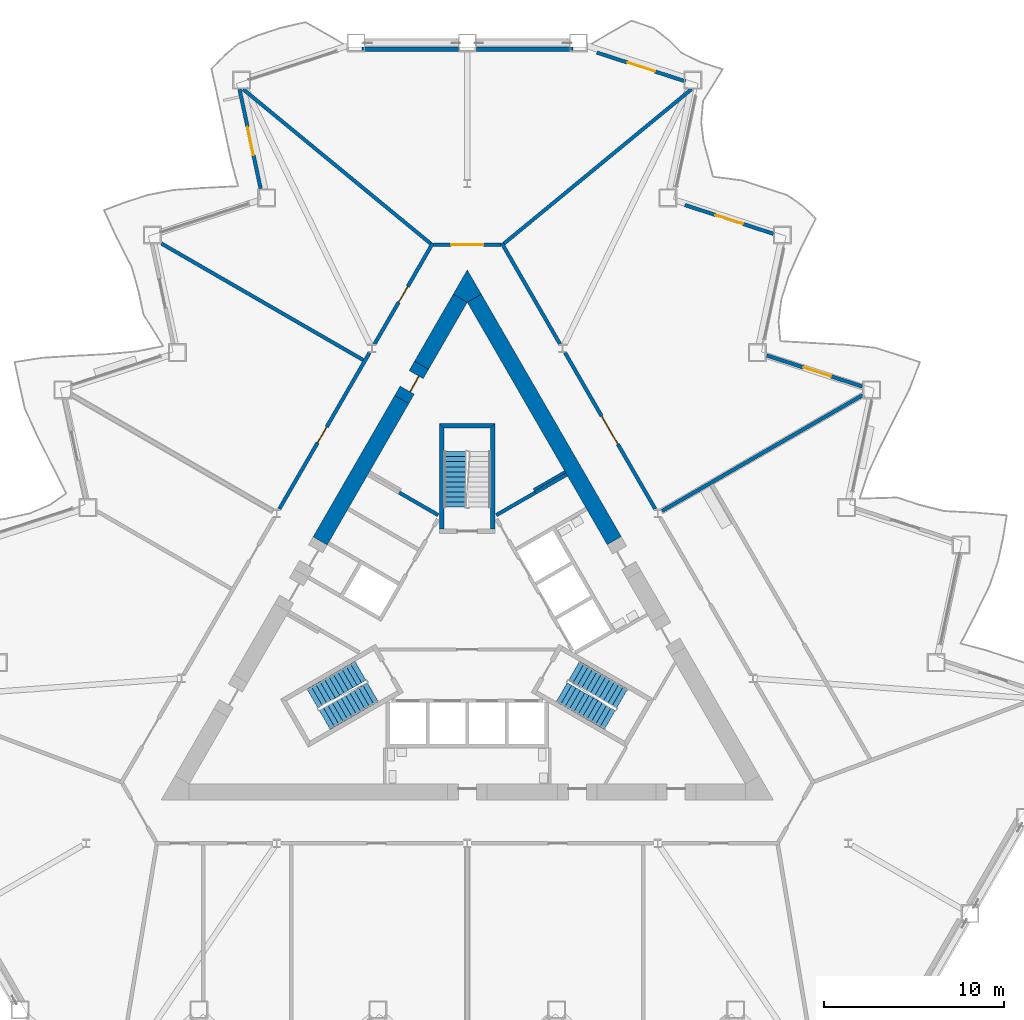
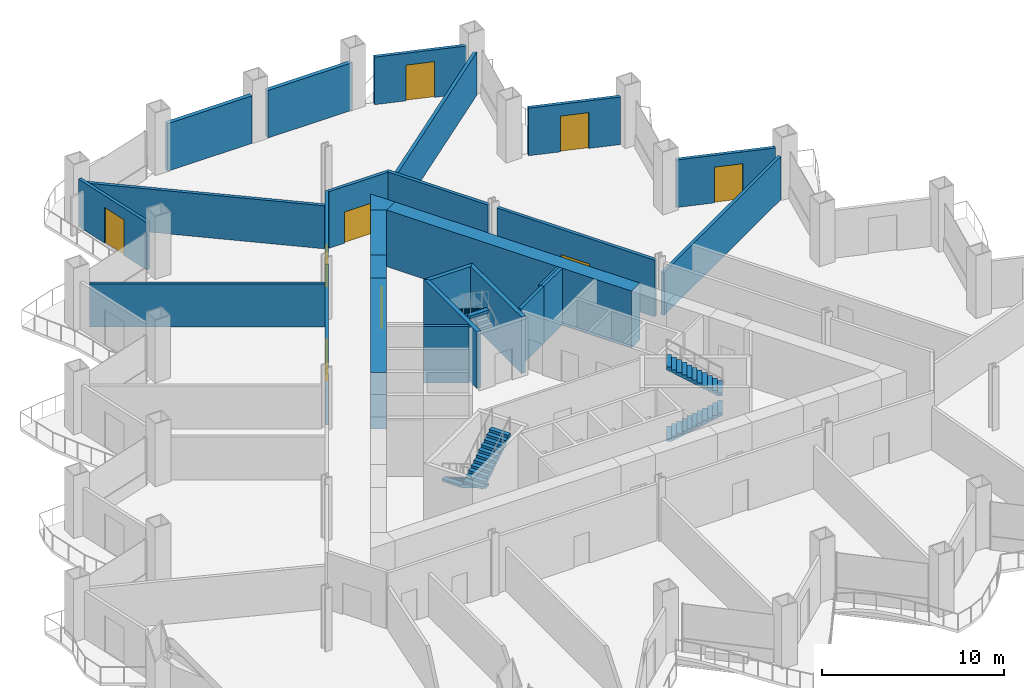
# One storey, part 12 of 20: 27 walls, 9 doors, 5 stair flights, 9 openings, 3 elements without a shape of their own.
"""IFC4 building model written with IfcOpenShell, lengths in metres."""

from ifc_helpers import new_model, si_unit, direction, frame, frame_2d, origin, place, context, subcontext, project, spatial, polyline, rectangle, outline, extrude, material, layer, layer_set, type_object, element, fill, aggregate, save


model = new_model("IFC4")

# Units and contexts
model_context = context("Model", 3, precision=1e-05, world=origin(), true_north=direction((0.0, 1.0)))
body_context = subcontext(model_context, "Body", "Model", "MODEL_VIEW")
ifc_project = project(units=[si_unit("LENGTHUNIT", "METRE"), si_unit("AREAUNIT", "SQUARE_METRE"), si_unit("VOLUMEUNIT", "CUBIC_METRE"), si_unit("PLANEANGLEUNIT", "RADIAN"), si_unit("MASSUNIT", "GRAM", prefix="KILO")], contexts=[model_context])

# Site, building, storey
site_placement = place(None, origin())
site = spatial("IfcSite", under=ifc_project, at=site_placement, CompositionType="ELEMENT")
building_placement = place(site_placement, origin())
building = spatial("IfcBuilding", under=site, at=building_placement, Name="Cormorant Prow Tower", CompositionType="ELEMENT")
storey_placement = place(building_placement, frame((0.0, 0.0, 55.199951171875)))
storey = spatial("IfcBuildingStorey", under=building, at=storey_placement, Name="L11", CompositionType="ELEMENT", Elevation=55.199951171875)

# Walls
ifc_material_1 = material(Name="Gypsum board partition")
ifc_layer_1 = layer(ifc_material_1, 0.14990234375)
ifc_layer_set_1 = layer_set([ifc_layer_1], Name="Gypsum board partition")
wall_type_1 = type_object("IfcWallType", Name="Core partition 150", PredefinedType="PARTITIONING", material=ifc_layer_set_1)
wall_1_placement = place(storey_placement, frame((3.693359375, 7.4150390625, 0.0), z_axis=(0.0, 0.0, 1.0), x_axis=(0.866035824272, 0.499981950752, 0.0)))
element("IfcWall", 1, at=wall_1_placement, inside=storey, type_object=wall_type_1, Name="Service room partition", PredefinedType="PARTITIONING", context=body_context, shape_type="SweptSolid", body=[
    extrude(rectangle(XDim=2.0087890625, YDim=0.14990234375, at=frame_2d((1.00439453125, 0.0))), origin(), (0.0, 0.0, 1.0), 3.800048828125),
])
ifc_material_2 = material(Name="Concrete 8000 psi", Category="concrete")
ifc_layer_2 = layer(ifc_material_2, 0.89990234375)
ifc_layer_set_2 = layer_set([ifc_layer_2], Name="Concrete 8000 psi")
wall_type_2 = type_object("IfcWallType", Name="Core shear wall 900", PredefinedType="SHEAR", material=ifc_layer_set_2)
wall_2_placement = place(storey_placement, frame((8.160400390625, 4.595947265625, 0.0), z_axis=(0.0, 0.0, 1.0), x_axis=(-0.500009830349, 0.866019728156, 0.0)))
element("IfcWall", 2, at=wall_2_placement, inside=storey, type_object=wall_type_2, Name="Core wall", PredefinedType="SHEAR", context=body_context, shape_type="SweptSolid", body=[
    extrude(rectangle(XDim=15.541259765625, YDim=0.89990234375, at=frame_2d((7.7705078125, 0.0))), origin(), (0.0, 0.0, 1.0), 3.800048828125),
])
wall_3_placement = place(storey_placement, frame((-3.637451171875, 12.4296875, 0.0), z_axis=(0.0, 0.0, 1.0), x_axis=(-0.500011513458, -0.866018756384, 0.0)))
element("IfcWall", 3, at=wall_3_placement, inside=storey, type_object=wall_type_2, Name="Core wall", PredefinedType="SHEAR", context=body_context, shape_type="SweptSolid", body=[
    extrude(rectangle(XDim=9.065673828125, YDim=0.89990234375, at=frame_2d((4.53271484375, 0.0))), origin(), (0.0, 0.0, 1.0), 3.800048828125),
])
wall_4_placement = place(storey_placement, frame((-0.3896484375, 18.054931640625, 0.0), z_axis=(0.0, 0.0, 1.0), x_axis=(-0.500014347272, -0.866017120224, 0.0)))
element("IfcWall", 4, at=wall_4_placement, inside=storey, type_object=wall_type_2, Name="Core wall", PredefinedType="SHEAR", context=body_context, shape_type="SweptSolid", body=[
    extrude(rectangle(XDim=4.295654296875, YDim=0.89990234375, at=frame_2d((2.14794921875, 0.0))), origin(), (0.0, 0.0, 1.0), 3.800048828125),
])
wall_5_placement = place(storey_placement, origin())
element("IfcWall", 5, at=wall_5_placement, inside=storey, type_object=wall_type_2, Name="Core wall corner", PredefinedType="SHEAR", context=body_context, shape_type="SweptSolid", body=[
    extrude(outline(polyline([(-0.779296875, 18.27978515625), (0.0, 19.6298828125), (0.779296875, 18.27978515625), (0.0, 17.829833984375), (-0.779296875, 18.27978515625)])), origin(), (0.0, 0.0, 1.0), 3.800048828125),
])

# Wall, opening, door
wall_6_placement = place(storey_placement, frame((-2.53759765625, 14.334716796875, 0.0), z_axis=(0.0, 0.0, 1.0), x_axis=(-0.499994660107, -0.866028486751, 0.0)))
wall_6 = element("IfcWall", 6, at=wall_6_placement, inside=storey, type_object=wall_type_2, Name="Core wall door panel", PredefinedType="SHEAR", context=body_context, shape_type="SweptSolid", body=[
    extrude(rectangle(XDim=2.19970703125, YDim=0.89990234375, at=frame_2d((1.099853515625, 0.0))), origin(), (0.0, 0.0, 1.0), 3.800048828125),
])
opening_1_placement = place(wall_6_placement, frame((0.60009765625, 0.0, 0.0)))
opening_1 = element("IfcOpeningElement", 7, at=opening_1_placement, cuts=wall_6, Name="Opening L11-C20", PredefinedType="OPENING", context=body_context, shape_type="SweptSolid", body=[
    extrude(rectangle(XDim=1.0, YDim=2.10009765625, at=frame_2d((0.5, 1.050048828125))), frame((0.0, 0.4599609375, 0.0), z_axis=(0.0, -1.0, 0.0), x_axis=(1.0, 0.0, 0.0)), (0.0, 0.0, 1.0), 0.919921875),
])
ifc_material_3 = material(Name="Painted steel", Category="steel")
door_type_1 = type_object("IfcDoorType", Name="Service door 1000x2100", OperationType="NOTDEFINED", PredefinedType="DOOR", material=ifc_material_3)
door_1_placement = place(opening_1_placement, origin())
door_1 = element("IfcDoor", 8, at=door_1_placement, inside=storey, type_object=door_type_1, Name="Core door, Telecom room", OperationType="SINGLE_SWING_LEFT", OverallHeight=2.10009765625, OverallWidth=1.0, PredefinedType="DOOR", context=body_context, shape_type="SweptSolid", body=[
    extrude(rectangle(XDim=1.0, YDim=2.10009765625, at=frame_2d((0.5, 1.050048828125))), frame((0.0, 0.205078125, 0.0), z_axis=(0.0, -1.0, 0.0), x_axis=(1.0, 0.0, 0.0)), (0.0, 0.0, 1.0), 0.050048828125),
])
fill(opening_1, door_1)

ifc_material_4 = material(Name="Gypsum board corridor wall")
ifc_layer_3 = layer(ifc_material_4, 0.199951171875)
ifc_layer_set_3 = layer_set([ifc_layer_3], Name="Gypsum board corridor wall")
wall_type_3 = type_object("IfcWallType", Name="Corridor wall 200", PredefinedType="PARTITIONING", material=ifc_layer_set_3)
wall_7_placement = place(storey_placement, frame((5.42919921875, 15.0263671875, 0.0), z_axis=(0.0, 0.0, 1.0), x_axis=(0.50001002959, -0.86601961312, 0.0)))
wall_7 = element("IfcWall", 9, at=wall_7_placement, inside=storey, type_object=wall_type_3, Name="Corridor wall", PredefinedType="PARTITIONING", context=body_context, shape_type="SweptSolid", body=[
    extrude(rectangle(XDim=10.018798828125, YDim=0.199951171875, at=frame_2d((5.00927734375, 0.0))), origin(), (0.0, 0.0, 1.0), 3.800048828125),
])
opening_2_placement = place(wall_7_placement, frame((4.059326171875, 0.0, 0.0)))
opening_2 = element("IfcOpeningElement", 10, at=opening_2_placement, cuts=wall_7, Name="Opening L11-F09", PredefinedType="OPENING", context=body_context, shape_type="SweptSolid", body=[
    extrude(rectangle(XDim=1.800048828125, YDim=2.10009765625, at=frame_2d((0.89990234375, 1.050048828125))), frame((0.0, 0.10986328125, 0.0), z_axis=(0.0, -1.0, 0.0), x_axis=(1.0, 0.0, 0.0)), (0.0, 0.0, 1.0), 0.219970703125),
])
ifc_material_5 = material(Name="Timber door leaf", Category="wood")
door_type_2 = type_object("IfcDoorType", Name="Double door 1800x2100", OperationType="DOUBLE_DOOR_SINGLE_SWING", PredefinedType="DOOR", material=ifc_material_5)
door_2_placement = place(opening_2_placement, origin())
door_2 = element("IfcDoor", 11, at=door_2_placement, inside=storey, type_object=door_type_2, Name="Trading room door", OperationType="DOUBLE_DOOR_SINGLE_SWING", OverallHeight=2.10009765625, OverallWidth=1.800048828125, PredefinedType="DOOR", context=body_context, shape_type="SweptSolid", body=[
    extrude(rectangle(XDim=1.800048828125, YDim=2.10009765625, at=frame_2d((0.89990234375, 1.050048828125))), frame((0.0, 0.02490234375, 0.0), z_axis=(0.0, -1.0, 0.0), x_axis=(1.0, 0.0, 0.0)), (0.0, 0.0, 1.0), 0.050048828125),
])
fill(opening_2, door_2)

wall_8_placement = place(storey_placement, frame((-10.438720703125, 6.349853515625, 0.0), z_axis=(0.0, 0.0, 1.0), x_axis=(0.50001002959, 0.86601961312, 0.0)))
wall_8 = element("IfcWall", 12, at=wall_8_placement, inside=storey, type_object=wall_type_3, Name="Corridor wall", PredefinedType="PARTITIONING", context=body_context, shape_type="SweptSolid", body=[
    extrude(rectangle(XDim=10.018798828125, YDim=0.199951171875, at=frame_2d((5.00927734375, 0.0))), origin(), (0.0, 0.0, 1.0), 3.800048828125),
])
opening_3_placement = place(wall_8_placement, frame((4.2587890625, 0.0, 0.0)))
opening_3 = element("IfcOpeningElement", 13, at=opening_3_placement, cuts=wall_8, Name="Opening L11-F12", PredefinedType="OPENING", context=body_context, shape_type="SweptSolid", body=[
    extrude(rectangle(XDim=1.0, YDim=2.10009765625, at=frame_2d((0.5, 1.050048828125))), frame((0.0, 0.10986328125, 0.0), z_axis=(0.0, -1.0, 0.0), x_axis=(1.0, 0.0, 0.0)), (0.0, 0.0, 1.0), 0.219970703125),
])
ifc_material_6 = material(Name="Timber door leaf", Category="wood")
door_type_3 = type_object("IfcDoorType", Name="Office door 1000x2100", OperationType="NOTDEFINED", PredefinedType="DOOR", material=ifc_material_6)
door_3_placement = place(opening_3_placement, origin())
door_3 = element("IfcDoor", 14, at=door_3_placement, inside=storey, type_object=door_type_3, Name="Co-working room door", OperationType="SINGLE_SWING_LEFT", OverallHeight=2.10009765625, OverallWidth=1.0, PredefinedType="DOOR", context=body_context, shape_type="SweptSolid", body=[
    extrude(rectangle(XDim=1.0, YDim=2.10009765625, at=frame_2d((0.5, 1.050048828125))), frame((0.0, 0.02490234375, 0.0), z_axis=(0.0, -1.0, 0.0), x_axis=(1.0, 0.0, 0.0)), (0.0, 0.0, 1.0), 0.050048828125),
])
fill(opening_3, door_3)

# Wall
wall_9_placement = place(storey_placement, frame((1.9130859375, 21.116455078125, 0.0), z_axis=(0.0, 0.0, 1.0), x_axis=(0.500001069878, -0.866024786089, 0.0)))
element("IfcWall", 15, at=wall_9_placement, inside=storey, type_object=wall_type_3, Name="Corridor wall", PredefinedType="PARTITIONING", context=body_context, shape_type="SweptSolid", body=[
    extrude(rectangle(XDim=6.47265625, YDim=0.199951171875, at=frame_2d((3.236328125, 0.0))), origin(), (0.0, 0.0, 1.0), 3.800048828125),
])

# Wall, opening, door
wall_10_placement = place(storey_placement, frame((-5.1494140625, 15.510986328125, 0.0), z_axis=(0.0, 0.0, 1.0), x_axis=(0.500001069878, 0.866024786089, 0.0)))
wall_10 = element("IfcWall", 16, at=wall_10_placement, inside=storey, type_object=wall_type_3, Name="Corridor wall", PredefinedType="PARTITIONING", context=body_context, shape_type="SweptSolid", body=[
    extrude(rectangle(XDim=6.47265625, YDim=0.199951171875, at=frame_2d((3.236328125, 0.0))), origin(), (0.0, 0.0, 1.0), 3.800048828125),
])
opening_4_placement = place(wall_10_placement, frame((2.685546875, 0.0, 0.0)))
opening_4 = element("IfcOpeningElement", 17, at=opening_4_placement, cuts=wall_10, Name="Opening L11-F11", PredefinedType="OPENING", context=body_context, shape_type="SweptSolid", body=[
    extrude(rectangle(XDim=1.0, YDim=2.10009765625, at=frame_2d((0.5, 1.050048828125))), frame((0.0, 0.10986328125, 0.0), z_axis=(0.0, -1.0, 0.0), x_axis=(1.0, 0.0, 0.0)), (0.0, 0.0, 1.0), 0.219970703125),
])
door_4_placement = place(opening_4_placement, origin())
door_4 = element("IfcDoor", 18, at=door_4_placement, inside=storey, type_object=door_type_3, Name="Tenant suite door", OperationType="SINGLE_SWING_LEFT", OverallHeight=2.10009765625, OverallWidth=1.0, PredefinedType="DOOR", context=body_context, shape_type="SweptSolid", body=[
    extrude(rectangle(XDim=1.0, YDim=2.10009765625, at=frame_2d((0.5, 1.050048828125))), frame((0.0, 0.02490234375, 0.0), z_axis=(0.0, -1.0, 0.0), x_axis=(1.0, 0.0, 0.0)), (0.0, 0.0, 1.0), 0.050048828125),
])
fill(opening_4, door_4)

wall_11_placement = place(storey_placement, frame((-1.863037109375, 21.02978515625, 0.0), z_axis=(0.0, 0.0, 1.0), x_axis=(1.0, 0.0, 0.0)))
wall_11 = element("IfcWall", 19, at=wall_11_placement, inside=storey, type_object=wall_type_3, Name="Corridor wall", PredefinedType="PARTITIONING", context=body_context, shape_type="SweptSolid", body=[
    extrude(rectangle(XDim=3.72607421875, YDim=0.199951171875, at=frame_2d((1.863037109375, 0.0))), origin(), (0.0, 0.0, 1.0), 3.800048828125),
])
opening_5_placement = place(wall_11_placement, frame((0.962890625, 0.0, 0.0)))
opening_5 = element("IfcOpeningElement", 20, at=opening_5_placement, cuts=wall_11, Name="Opening L11-F10", PredefinedType="OPENING", context=body_context, shape_type="SweptSolid", body=[
    extrude(rectangle(XDim=1.800048828125, YDim=2.10009765625, at=frame_2d((0.89990234375, 1.050048828125))), frame((0.0, 0.10986328125, 0.0), z_axis=(0.0, -1.0, 0.0), x_axis=(1.0, 0.0, 0.0)), (0.0, 0.0, 1.0), 0.219970703125),
])
door_5_placement = place(opening_5_placement, origin())
door_5 = element("IfcDoor", 21, at=door_5_placement, inside=storey, type_object=door_type_2, Name="Open-plan office door", OperationType="DOUBLE_DOOR_SINGLE_SWING", OverallHeight=2.10009765625, OverallWidth=1.800048828125, PredefinedType="DOOR", context=body_context, shape_type="SweptSolid", body=[
    extrude(rectangle(XDim=1.800048828125, YDim=2.10009765625, at=frame_2d((0.89990234375, 1.050048828125))), frame((0.0, 0.02490234375, 0.0), z_axis=(0.0, -1.0, 0.0), x_axis=(1.0, 0.0, 0.0)), (0.0, 0.0, 1.0), 0.050048828125),
])
fill(opening_5, door_5)

# Walls
ifc_material_7 = material(Name="Gypsum board demising wall")
ifc_layer_4 = layer(ifc_material_7, 0.199951171875)
ifc_layer_set_4 = layer_set([ifc_layer_4], Name="Gypsum board demising wall")
wall_type_4 = type_object("IfcWallType", Name="Demising wall 200", PredefinedType="PARTITIONING", material=ifc_layer_set_4)
for number, where, z_axis, x_axis, name in (
    (22, (2.040283203125, 21.093505859375, 0.0), (0.0, 0.0, 1.0), (0.772048928551, 0.635563098302, 0.0), "Demising wall"),
    (23, (-12.44482421875, 29.65869140625, 0.0), (0.0, 0.0, 1.0), (0.772048928551, -0.635563098302, 0.0), "Demising wall"),
):
    element("IfcWall", number, at=place(storey_placement, frame(where, z_axis=z_axis, x_axis=x_axis)), inside=storey, type_object=wall_type_4, Name=name, PredefinedType="PARTITIONING", context=body_context, shape_type="SweptSolid", body=[
        extrude(rectangle(XDim=13.4765625, YDim=0.199951171875, at=frame_2d((6.73828125, 0.0))), origin(), (0.0, 0.0, 1.0), 2.88525390625),
    ])
wall_12_placement = place(storey_placement, frame((-16.981201171875, 21.091796875, 0.0), z_axis=(0.0, 0.0, 1.0), x_axis=(0.866026884493, -0.499997435328, 0.0)))
element("IfcWall", 24, at=wall_12_placement, inside=storey, type_object=wall_type_4, Name="Demising wall", PredefinedType="PARTITIONING", context=body_context, shape_type="SweptSolid", body=[
    extrude(rectangle(XDim=12.93701171875, YDim=0.199951171875, at=frame_2d((6.468505859375, 0.0))), origin(), (0.0, 0.0, 1.0), 2.88525390625),
])
wall_13_placement = place(storey_placement, frame((10.82080078125, 6.247314453125, 0.0), z_axis=(0.0, 0.0, 1.0), x_axis=(0.866026729935, 0.499997703033, 0.0)))
element("IfcWall", 25, at=wall_13_placement, inside=storey, type_object=wall_type_4, Name="Demising wall", PredefinedType="PARTITIONING", context=body_context, shape_type="SweptSolid", body=[
    extrude(rectangle(XDim=12.84765625, YDim=0.199951171875, at=frame_2d((6.423828125, 0.0))), origin(), (0.0, 0.0, 1.0), 2.88525390625),
])
ifc_material_8 = material(Name="Concrete 8000 psi", Category="concrete")
ifc_layer_5 = layer(ifc_material_8, 0.199951171875)
ifc_layer_set_5 = layer_set([ifc_layer_5], Name="Concrete 8000 psi")
wall_type_5 = type_object("IfcWallType", Name="Lift shaft wall 200", PredefinedType="SHEAR", material=ifc_layer_set_5)
wall_14_placement = place(storey_placement, origin())
element("IfcWall", 26, at=wall_14_placement, inside=storey, type_object=wall_type_5, Name="Lift shaft walls, ENE block", PredefinedType="SHEAR", context=body_context, shape_type="SweptSolid", body=[
    extrude(outline(polyline([(1.560546875, 6.09716796875), (3.730712890625, 7.35009765625), (3.830810546875, 7.177001953125), (1.660400390625, 5.923828125), (1.560546875, 6.09716796875)])), origin(), (0.0, 0.0, 1.0), 3.800048828125),
])
wall_15_placement = place(storey_placement, frame((3.78076171875, 7.263427734375, 0.0), z_axis=(0.0, 0.0, 1.0), x_axis=(0.865983199114, 0.50007309351, 0.0)))
element("IfcWall", 27, at=wall_15_placement, inside=storey, type_object=wall_type_5, Name="Store side wall", PredefinedType="SHEAR", context=body_context, shape_type="SweptSolid", body=[
    extrude(rectangle(XDim=2.009033203125, YDim=0.199951171875, at=frame_2d((1.00439453125, 0.0))), origin(), (0.0, 0.0, 1.0), 3.800048828125),
])
wall_16_placement = place(storey_placement, origin())
element("IfcWall", 28, at=wall_16_placement, inside=storey, type_object=wall_type_5, Name="Lift shaft walls, WNW block", PredefinedType="SHEAR", context=body_context, shape_type="SweptSolid", body=[
    extrude(outline(polyline([(-3.730712890625, 7.35009765625), (-1.560546875, 6.09716796875), (-1.660400390625, 5.923828125), (-3.830810546875, 7.177001953125), (-3.730712890625, 7.35009765625)])), origin(), (0.0, 0.0, 1.0), 3.800048828125),
])
ifc_material_9 = material(Name="Concrete 8000 psi", Category="concrete")
ifc_layer_6 = layer(ifc_material_9, 0.25)
ifc_layer_set_6 = layer_set([ifc_layer_6], Name="Concrete 8000 psi")
wall_type_6 = type_object("IfcWallType", Name="Stair wall 250", PredefinedType="SHEAR", material=ifc_layer_set_6)
wall_17_placement = place(storey_placement, origin())
element("IfcWall", 29, at=wall_17_placement, inside=storey, type_object=wall_type_6, Name="Stair ST3 enclosure wall (flank)", PredefinedType="SHEAR", context=body_context, shape_type="SweptSolid", body=[
    extrude(outline(polyline([(1.5439453125, 5.23681640625), (1.5439453125, 11.0869140625), (1.2939453125, 10.8369140625), (1.2939453125, 5.23681640625), (1.5439453125, 5.23681640625)])), origin(), (0.0, 0.0, 1.0), 3.800048828125),
])
wall_18_placement = place(storey_placement, origin())
element("IfcWall", 30, at=wall_18_placement, inside=storey, type_object=wall_type_6, Name="Stair ST3 enclosure wall (end)", PredefinedType="SHEAR", context=body_context, shape_type="SweptSolid", body=[
    extrude(outline(polyline([(1.5439453125, 11.0869140625), (-1.5439453125, 11.0869140625), (-1.2939453125, 10.8369140625), (1.2939453125, 10.8369140625), (1.5439453125, 11.0869140625)])), origin(), (0.0, 0.0, 1.0), 3.800048828125),
])
wall_19_placement = place(storey_placement, origin())
element("IfcWall", 31, at=wall_19_placement, inside=storey, type_object=wall_type_6, Name="Stair ST3 enclosure wall (flank)", PredefinedType="SHEAR", context=body_context, shape_type="SweptSolid", body=[
    extrude(outline(polyline([(-1.2939453125, 10.8369140625), (-1.5439453125, 11.0869140625), (-1.5439453125, 5.23681640625), (-1.2939453125, 5.23681640625), (-1.2939453125, 10.8369140625)])), origin(), (0.0, 0.0, 1.0), 3.800048828125),
])
ifc_material_10 = material(Name="Terracotta", Category="masonry")
ifc_layer_7 = layer(ifc_material_10, 0.25)
ifc_layer_set_7 = layer_set([ifc_layer_7], Name="Terracotta")
wall_type_7 = type_object("IfcWallType", Name="Terracotta bay wall 250", PredefinedType="SOLIDWALL", material=ifc_layer_set_7)
for number, where, z_axis, x_axis, name in (
    (32, (5.858154296875, 31.882568359375, 0.0), (0.0, 0.0, 1.0), (-1.0, 0.0, 0.0), "Terracotta bay wall N00"),
    (33, (-0.5, 31.882568359375, 0.0), (0.0, 0.0, 1.0), (-1.0, 0.0, 0.0), "Terracotta bay wall N01"),
):
    element("IfcWall", number, at=place(storey_placement, frame(where, z_axis=z_axis, x_axis=x_axis)), inside=storey, type_object=wall_type_7, Name=name, PredefinedType="SOLIDWALL", context=body_context, shape_type="SweptSolid", body=[
        extrude(rectangle(XDim=5.358154296875, YDim=0.25, at=frame_2d((2.67919921875, 0.0))), origin(), (0.0, 0.0, 1.0), 3.18896484375),
    ])

# Wall, opening, door
ifc_material_11 = material(Name="Terracotta", Category="masonry")
ifc_layer_8 = layer(ifc_material_11, 0.199951171875)
ifc_layer_set_8 = layer_set([ifc_layer_8], Name="Terracotta")
wall_type_8 = type_object("IfcWallType", Name="Terracotta jamb wall 200", PredefinedType="SOLIDWALL", material=ifc_layer_set_8)
wall_20_placement = place(storey_placement, frame((21.9326171875, 13.152587890625, 0.0), z_axis=(0.0, 0.0, 1.0), x_axis=(-0.951066864375, 0.308985144444, 0.0)))
wall_20 = element("IfcWall", 34, at=wall_20_placement, inside=storey, type_object=wall_type_8, Name="Terracotta jamb wall ENE05", PredefinedType="SOLIDWALL", context=body_context, shape_type="SweptSolid", body=[
    extrude(rectangle(XDim=5.5791015625, YDim=0.199951171875, at=frame_2d((2.78955078125, 0.0))), origin(), (0.0, 0.0, 1.0), 3.18896484375),
])
opening_6_placement = place(wall_20_placement, frame((1.82763671875, 0.0, 0.0)))
opening_6 = element("IfcOpeningElement", 35, at=opening_6_placement, cuts=wall_20, Name="Opening ED11.08", PredefinedType="OPENING", context=body_context, shape_type="SweptSolid", body=[
    extrude(rectangle(XDim=1.60009765625, YDim=2.39990234375, at=frame_2d((0.800048828125, 1.199951171875))), frame((0.0, 0.10986328125, 0.0), z_axis=(0.0, -1.0, 0.0), x_axis=(1.0, 0.0, 0.0)), (0.0, 0.0, 1.0), 0.219970703125),
])
ifc_material_12 = material(Name="Aluminium 6063-T6", Category="aluminium")
door_type_4 = type_object("IfcDoorType", Name="Balcony door 1600x2400", OperationType="DOUBLE_DOOR_SINGLE_SWING", PredefinedType="DOOR", material=ifc_material_12)
door_6_placement = place(opening_6_placement, origin())
door_6 = element("IfcDoor", 36, at=door_6_placement, inside=storey, type_object=door_type_4, Name="Balcony door ENE05 ED11.08", OperationType="DOUBLE_DOOR_SINGLE_SWING", OverallHeight=2.39990234375, OverallWidth=1.60009765625, PredefinedType="DOOR", context=body_context, shape_type="SweptSolid", body=[
    extrude(rectangle(XDim=1.60009765625, YDim=2.39990234375, at=frame_2d((0.800048828125, 1.199951171875))), frame((0.0, 0.02490234375, 0.0), z_axis=(0.0, -1.0, 0.0), x_axis=(1.0, 0.0, 0.0)), (0.0, 0.0, 1.0), 0.050048828125),
])
fill(opening_6, door_6)

wall_21_placement = place(storey_placement, frame((17.004638671875, 21.63134765625, 0.0), z_axis=(0.0, 0.0, 1.0), x_axis=(-0.951045170621, 0.309051910588, 0.0)))
wall_21 = element("IfcWall", 37, at=wall_21_placement, inside=storey, type_object=wall_type_8, Name="Terracotta jamb wall ENE07", PredefinedType="SOLIDWALL", context=body_context, shape_type="SweptSolid", body=[
    extrude(rectangle(XDim=5.171142578125, YDim=0.199951171875, at=frame_2d((2.58544921875, 0.0))), origin(), (0.0, 0.0, 1.0), 3.18896484375),
])
opening_7_placement = place(wall_21_placement, frame((1.78564453125, 0.0, 0.0)))
opening_7 = element("IfcOpeningElement", 38, at=opening_7_placement, cuts=wall_21, Name="Opening ED11.09", PredefinedType="OPENING", context=body_context, shape_type="SweptSolid", body=[
    extrude(rectangle(XDim=1.60009765625, YDim=2.39990234375, at=frame_2d((0.800048828125, 1.199951171875))), frame((0.0, 0.10986328125, 0.0), z_axis=(0.0, -1.0, 0.0), x_axis=(1.0, 0.0, 0.0)), (0.0, 0.0, 1.0), 0.219970703125),
])
door_7_placement = place(opening_7_placement, origin())
door_7 = element("IfcDoor", 39, at=door_7_placement, inside=storey, type_object=door_type_4, Name="Balcony door ENE07 ED11.09", OperationType="DOUBLE_DOOR_SINGLE_SWING", OverallHeight=2.39990234375, OverallWidth=1.60009765625, PredefinedType="DOOR", context=body_context, shape_type="SweptSolid", body=[
    extrude(rectangle(XDim=1.60009765625, YDim=2.39990234375, at=frame_2d((0.800048828125, 1.199951171875))), frame((0.0, 0.02490234375, 0.0), z_axis=(0.0, -1.0, 0.0), x_axis=(1.0, 0.0, 0.0)), (0.0, 0.0, 1.0), 0.050048828125),
])
fill(opening_7, door_7)

wall_22_placement = place(storey_placement, frame((12.116943359375, 30.097412109375, 0.0), z_axis=(0.0, 0.0, 1.0), x_axis=(-0.951063554534, 0.308995332064, 0.0)))
wall_22 = element("IfcWall", 40, at=wall_22_placement, inside=storey, type_object=wall_type_8, Name="Terracotta jamb wall ENE09", PredefinedType="SOLIDWALL", context=body_context, shape_type="SweptSolid", body=[
    extrude(rectangle(XDim=5.17138671875, YDim=0.199951171875, at=frame_2d((2.585693359375, 0.0))), origin(), (0.0, 0.0, 1.0), 3.18896484375),
])
opening_8_placement = place(wall_22_placement, frame((1.78564453125, 0.0, 0.0)))
opening_8 = element("IfcOpeningElement", 41, at=opening_8_placement, cuts=wall_22, Name="Opening ED11.10", PredefinedType="OPENING", context=body_context, shape_type="SweptSolid", body=[
    extrude(rectangle(XDim=1.60009765625, YDim=2.39990234375, at=frame_2d((0.800048828125, 1.199951171875))), frame((0.0, 0.10986328125, 0.0), z_axis=(0.0, -1.0, 0.0), x_axis=(1.0, 0.0, 0.0)), (0.0, 0.0, 1.0), 0.219970703125),
])
door_8_placement = place(opening_8_placement, origin())
door_8 = element("IfcDoor", 42, at=door_8_placement, inside=storey, type_object=door_type_4, Name="Balcony door ENE09 ED11.10", OperationType="DOUBLE_DOOR_SINGLE_SWING", OverallHeight=2.39990234375, OverallWidth=1.60009765625, PredefinedType="DOOR", context=body_context, shape_type="SweptSolid", body=[
    extrude(rectangle(XDim=1.60009765625, YDim=2.39990234375, at=frame_2d((0.800048828125, 1.199951171875))), frame((0.0, 0.02490234375, 0.0), z_axis=(0.0, -1.0, 0.0), x_axis=(1.0, 0.0, 0.0)), (0.0, 0.0, 1.0), 0.050048828125),
])
fill(opening_8, door_8)

wall_23_placement = place(storey_placement, frame((-12.6455078125, 29.652099609375, 0.0), z_axis=(0.0, 0.0, 1.0), x_axis=(0.207901831982, -0.978149696242, 0.0)))
wall_23 = element("IfcWall", 43, at=wall_23_placement, inside=storey, type_object=wall_type_8, Name="Terracotta jamb wall WNW01", PredefinedType="SOLIDWALL", context=body_context, shape_type="SweptSolid", body=[
    extrude(rectangle(XDim=5.626220703125, YDim=0.199951171875, at=frame_2d((2.81298828125, 0.0))), origin(), (0.0, 0.0, 1.0), 3.18896484375),
])
opening_9_placement = place(wall_23_placement, frame((2.136962890625, 0.0, 0.0)))
opening_9 = element("IfcOpeningElement", 44, at=opening_9_placement, cuts=wall_23, Name="Opening ED11.11", PredefinedType="OPENING", context=body_context, shape_type="SweptSolid", body=[
    extrude(rectangle(XDim=1.60009765625, YDim=2.39990234375, at=frame_2d((0.800048828125, 1.199951171875))), frame((0.0, 0.10986328125, 0.0), z_axis=(0.0, -1.0, 0.0), x_axis=(1.0, 0.0, 0.0)), (0.0, 0.0, 1.0), 0.219970703125),
])
door_9_placement = place(opening_9_placement, origin())
door_9 = element("IfcDoor", 45, at=door_9_placement, inside=storey, type_object=door_type_4, Name="Balcony door WNW01 ED11.11", OperationType="DOUBLE_DOOR_SINGLE_SWING", OverallHeight=2.39990234375, OverallWidth=1.60009765625, PredefinedType="DOOR", context=body_context, shape_type="SweptSolid", body=[
    extrude(rectangle(XDim=1.60009765625, YDim=2.39990234375, at=frame_2d((0.800048828125, 1.199951171875))), frame((0.0, 0.02490234375, 0.0), z_axis=(0.0, -1.0, 0.0), x_axis=(1.0, 0.0, 0.0)), (0.0, 0.0, 1.0), 0.050048828125),
])
fill(opening_9, door_9)

# Stair, stair flights
ifc_material_13 = material(Name="Exit stair 24 risers")
stair_type = type_object("IfcStairType", Name="Exit stair 24 risers", PredefinedType="HALF_TURN_STAIR", material=ifc_material_13)
stair_1_placement = place(storey_placement, origin())
stair_1 = element("IfcStair", 46, at=stair_1_placement, inside=storey, type_object=stair_type, Name="L11 Exit stair ST1", PredefinedType="HALF_TURN_STAIR")
ifc_material_14 = material(Name="Concrete 5000 psi", Category="concrete")
stair_flight_type = type_object("IfcStairFlightType", Name="Stair flight 1219", PredefinedType="STRAIGHT", material=ifc_material_14)
stair_flight_1_placement = place(storey_placement, frame((-5.93310546875, -2.635009765625, 0.0), z_axis=(0.0, 0.0, 1.0), x_axis=(-0.866025403784, -0.5, 0.0)))
stair_flight_1 = element("IfcStairFlight", 47, at=stair_flight_1_placement, type_object=stair_flight_type, Name="ST1 flight 1", NumberOfRisers=12, NumberOfTreads=11, PredefinedType="STRAIGHT", RiserHeight=0.175, TreadLength=0.28, context=body_context, shape_type="SweptSolid", body=[
    extrude(outline(polyline([(0.0, 0.0), (0.0, 0.175048828125), (0.280029296875, 0.175048828125), (0.280029296875, 0.35009765625), (0.56005859375, 0.35009765625), (0.56005859375, 0.52490234375), (0.840087890625, 0.52490234375), (0.840087890625, 0.699951171875), (1.1201171875, 0.699951171875), (1.1201171875, 0.875), (1.39990234375, 0.875), (1.39990234375, 1.050048828125), (1.679931640625, 1.050048828125), (1.679931640625, 1.22509765625), (1.9599609375, 1.22509765625), (1.9599609375, 1.39990234375), (2.239990234375, 1.39990234375), (2.239990234375, 1.574951171875), (2.52001953125, 1.574951171875), (2.52001953125, 1.75), (2.800048828125, 1.75), (2.800048828125, 1.925048828125), (3.080078125, 1.925048828125), (3.080078125, 2.10009765625), (3.080078125, 1.748291015625), (0.28271484375, 0.0), (0.0, 0.0)])), frame((0.0, 0.609375, 0.0), z_axis=(0.0, -1.0, 0.0), x_axis=(1.0, 0.0, 0.0)), (0.0, 0.0, 1.0), 1.218994140625),
])
stair_flight_2_placement = place(storey_placement, frame((-7.916015625, -5.360595703125, 2.10009765625), z_axis=(0.0, 0.0, 1.0), x_axis=(0.866025403784, 0.5, 0.0)))
stair_flight_2 = element("IfcStairFlight", 48, at=stair_flight_2_placement, type_object=stair_flight_type, Name="ST1 flight 2", NumberOfRisers=12, NumberOfTreads=11, PredefinedType="STRAIGHT", RiserHeight=0.175, TreadLength=0.28, context=body_context, shape_type="SweptSolid", body=[
    extrude(outline(polyline([(0.0, 0.0), (0.0, 0.175048828125), (0.280029296875, 0.175048828125), (0.280029296875, 0.35009765625), (0.56005859375, 0.35009765625), (0.56005859375, 0.52490234375), (0.840087890625, 0.52490234375), (0.840087890625, 0.699951171875), (1.1201171875, 0.699951171875), (1.1201171875, 0.875), (1.39990234375, 0.875), (1.39990234375, 1.050048828125), (1.679931640625, 1.050048828125), (1.679931640625, 1.22509765625), (1.9599609375, 1.22509765625), (1.9599609375, 1.39990234375), (2.239990234375, 1.39990234375), (2.239990234375, 1.574951171875), (2.52001953125, 1.574951171875), (2.52001953125, 1.75), (2.800048828125, 1.75), (2.800048828125, 1.925048828125), (3.080078125, 1.925048828125), (3.080078125, 2.10009765625), (3.080078125, 1.748291015625), (0.28271484375, 0.0), (0.0, 0.0)])), frame((0.0, 0.609375, 0.0), z_axis=(0.0, -1.0, 0.0), x_axis=(1.0, 0.0, 0.0)), (0.0, 0.0, 1.0), 1.218994140625),
])
aggregate(stair_1, [stair_flight_1, stair_flight_2])

stair_2_placement = place(storey_placement, origin())
stair_2 = element("IfcStair", 49, at=stair_2_placement, inside=storey, type_object=stair_type, Name="L11 Exit stair ST2", PredefinedType="HALF_TURN_STAIR")
stair_flight_3_placement = place(storey_placement, frame((5.24853515625, -3.82080078125, 0.0), z_axis=(0.0, 0.0, 1.0), x_axis=(0.866025403784, -0.5, 0.0)))
stair_flight_3 = element("IfcStairFlight", 50, at=stair_flight_3_placement, type_object=stair_flight_type, Name="ST2 flight 1", NumberOfRisers=12, NumberOfTreads=11, PredefinedType="STRAIGHT", RiserHeight=0.175, TreadLength=0.28, context=body_context, shape_type="SweptSolid", body=[
    extrude(outline(polyline([(0.0, 0.0), (0.0, 0.175048828125), (0.280029296875, 0.175048828125), (0.280029296875, 0.35009765625), (0.56005859375, 0.35009765625), (0.56005859375, 0.52490234375), (0.840087890625, 0.52490234375), (0.840087890625, 0.699951171875), (1.1201171875, 0.699951171875), (1.1201171875, 0.875), (1.39990234375, 0.875), (1.39990234375, 1.050048828125), (1.679931640625, 1.050048828125), (1.679931640625, 1.22509765625), (1.9599609375, 1.22509765625), (1.9599609375, 1.39990234375), (2.239990234375, 1.39990234375), (2.239990234375, 1.574951171875), (2.52001953125, 1.574951171875), (2.52001953125, 1.75), (2.800048828125, 1.75), (2.800048828125, 1.925048828125), (3.080078125, 1.925048828125), (3.080078125, 2.10009765625), (3.080078125, 1.748291015625), (0.28271484375, 0.0), (0.0, 0.0)])), frame((0.0, 0.609375, 0.0), z_axis=(0.0, -1.0, 0.0), x_axis=(1.0, 0.0, 0.0)), (0.0, 0.0, 1.0), 1.218994140625),
])
stair_flight_4_placement = place(storey_placement, frame((8.6005859375, -4.175048828125, 2.10009765625), z_axis=(0.0, 0.0, 1.0), x_axis=(-0.866025403784, 0.5, 0.0)))
stair_flight_4 = element("IfcStairFlight", 51, at=stair_flight_4_placement, type_object=stair_flight_type, Name="ST2 flight 2", NumberOfRisers=12, NumberOfTreads=11, PredefinedType="STRAIGHT", RiserHeight=0.175, TreadLength=0.28, context=body_context, shape_type="SweptSolid", body=[
    extrude(outline(polyline([(0.0, 0.0), (0.0, 0.175048828125), (0.280029296875, 0.175048828125), (0.280029296875, 0.35009765625), (0.56005859375, 0.35009765625), (0.56005859375, 0.52490234375), (0.840087890625, 0.52490234375), (0.840087890625, 0.699951171875), (1.1201171875, 0.699951171875), (1.1201171875, 0.875), (1.39990234375, 0.875), (1.39990234375, 1.050048828125), (1.679931640625, 1.050048828125), (1.679931640625, 1.22509765625), (1.9599609375, 1.22509765625), (1.9599609375, 1.39990234375), (2.239990234375, 1.39990234375), (2.239990234375, 1.574951171875), (2.52001953125, 1.574951171875), (2.52001953125, 1.75), (2.800048828125, 1.75), (2.800048828125, 1.925048828125), (3.080078125, 1.925048828125), (3.080078125, 2.10009765625), (3.080078125, 1.748291015625), (0.28271484375, 0.0), (0.0, 0.0)])), frame((0.0, 0.609375, 0.0), z_axis=(0.0, -1.0, 0.0), x_axis=(1.0, 0.0, 0.0)), (0.0, 0.0, 1.0), 1.218994140625),
])
aggregate(stair_2, [stair_flight_3, stair_flight_4])

# Stair, stair flight
stair_3_placement = place(storey_placement, origin())
stair_3 = element("IfcStair", 52, at=stair_3_placement, inside=storey, type_object=stair_type, Name="L11 Exit stair ST3", PredefinedType="HALF_TURN_STAIR")
stair_flight_5_placement = place(storey_placement, frame((-0.6845703125, 9.535888671875, 2.10009765625), z_axis=(0.0, 0.0, 1.0), x_axis=(0.0, -1.0, 0.0)))
stair_flight_5 = element("IfcStairFlight", 53, at=stair_flight_5_placement, type_object=stair_flight_type, Name="ST3 flight 2", NumberOfRisers=12, NumberOfTreads=11, PredefinedType="STRAIGHT", RiserHeight=0.175, TreadLength=0.28, context=body_context, shape_type="SweptSolid", body=[
    extrude(outline(polyline([(0.0, 0.0), (0.0, 0.175048828125), (0.280029296875, 0.175048828125), (0.280029296875, 0.35009765625), (0.56005859375, 0.35009765625), (0.56005859375, 0.52490234375), (0.840087890625, 0.52490234375), (0.840087890625, 0.699951171875), (1.1201171875, 0.699951171875), (1.1201171875, 0.875), (1.39990234375, 0.875), (1.39990234375, 1.050048828125), (1.679931640625, 1.050048828125), (1.679931640625, 1.22509765625), (1.9599609375, 1.22509765625), (1.9599609375, 1.39990234375), (2.239990234375, 1.39990234375), (2.239990234375, 1.574951171875), (2.52001953125, 1.574951171875), (2.52001953125, 1.75), (2.800048828125, 1.75), (2.800048828125, 1.925048828125), (3.080078125, 1.925048828125), (3.080078125, 2.10009765625), (3.080078125, 1.748291015625), (0.28271484375, 0.0), (0.0, 0.0)])), frame((0.0, 0.609375, 0.0), z_axis=(0.0, -1.0, 0.0), x_axis=(1.0, 0.0, 0.0)), (0.0, 0.0, 1.0), 1.218994140625),
])
aggregate(stair_3, [stair_flight_5])

save(model, "model.ifc")
